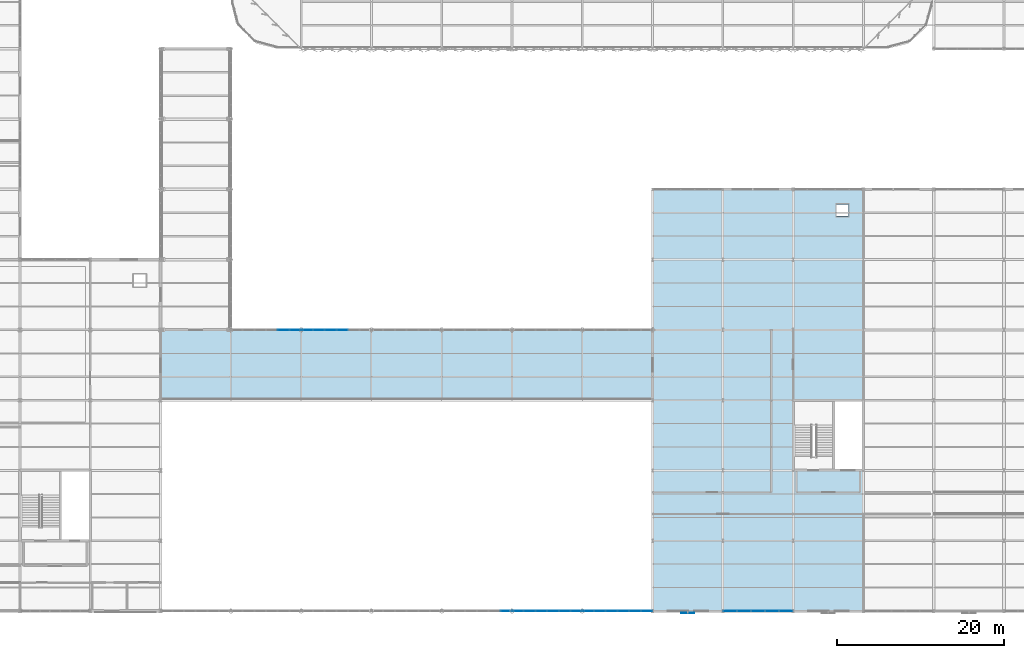
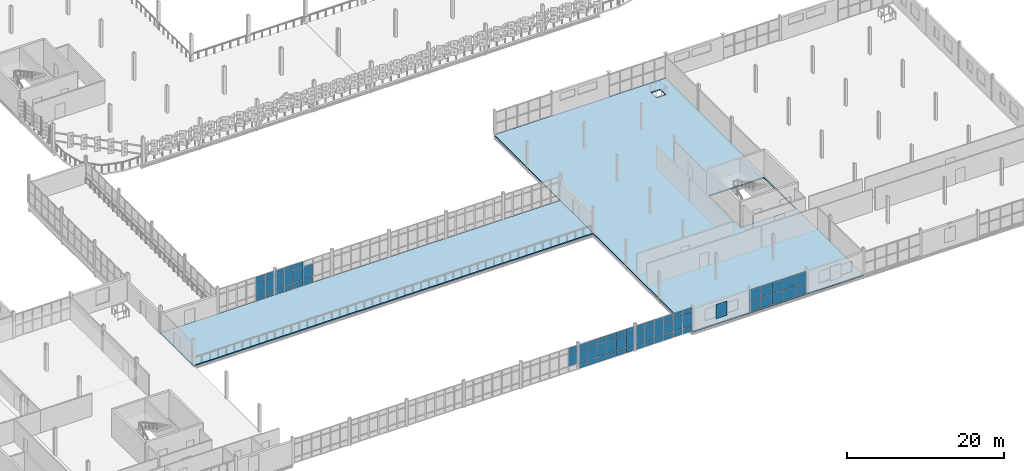
# One storey, part 116 of 163: 66 plates, 2 slabs, 6 elements without a shape of their own.
"""IFC4 building model written with IfcOpenShell, lengths in metres."""

from ifc_helpers import new_model, si_unit, direction, frame, origin, origin_2d, place, context, subcontext, project, spatial, polyline, rectangle, outline, extrude, material, layer, layer_set, type_object, element, aggregate, save


model = new_model("IFC4")

# Units and contexts
model_context = context("Model", 3, precision=1e-05, world=origin(), true_north=direction((0.0, 1.0)))
body_context = subcontext(model_context, "Body", "Model", "MODEL_VIEW")
ifc_project = project(units=[si_unit("LENGTHUNIT", "METRE"), si_unit("AREAUNIT", "SQUARE_METRE"), si_unit("VOLUMEUNIT", "CUBIC_METRE"), si_unit("PLANEANGLEUNIT", "RADIAN"), si_unit("MASSUNIT", "GRAM", prefix="KILO")], contexts=[model_context])

# Site, building, storey
site_placement = place(None, origin())
site = spatial("IfcSite", under=ifc_project, at=site_placement, CompositionType="ELEMENT")
building_placement = place(site_placement, origin())
building = spatial("IfcBuilding", under=site, at=building_placement, Name="Qalvenar Corner Mobility Hub", CompositionType="ELEMENT")
storey_placement = place(building_placement, frame((0.0, 0.0, 4.800048828125)))
storey = spatial("IfcBuildingStorey", under=building, at=storey_placement, Name="L01", CompositionType="ELEMENT", Elevation=4.800048828125)

# Curtain wall, plates
ifc_material_1 = material(Name="Anodised Aluminium and Low-E Glazing", Category="aluminium")
ifc_layer_1 = layer(ifc_material_1, 0.179931640625)
ifc_layer_set_1 = layer_set([ifc_layer_1], Name="Anodised Aluminium and Low-E Glazing")
curtain_wall_type_1 = type_object("IfcCurtainWallType", Name="CW-CONC-84X42", PredefinedType="NOTDEFINED", material=ifc_layer_set_1)
curtain_wall_1_placement = place(storey_placement, origin())
curtain_wall_1 = element("IfcCurtainWall", 1, at=curtain_wall_1_placement, inside=storey, type_object=curtain_wall_type_1, Name="Glazed Curtain Wall CW-V1-L01-N1", PredefinedType="NOTDEFINED")
ifc_material_2 = material(Name="Solar-Control Low-E Double Glazing", Category="glass")
ifc_layer_2 = layer(ifc_material_2, 0.028076171875)
ifc_layer_set_2 = layer_set([ifc_layer_2], Name="Solar-Control Low-E Double Glazing")
plate_type_1 = type_object("IfcPlateType", Name="PLT-CWP-GLZ1", PredefinedType="CURTAIN_PANEL", material=ifc_layer_set_2)
plate_1_placement = place(storey_placement, frame((66.485107421875, 33.60009765625, 0.054931640625), z_axis=(0.0, 0.0, 1.0), x_axis=(-1.0, 0.0, 0.0)))
plate_1 = element("IfcPlate", 2, at=plate_1_placement, type_object=plate_type_1, Name="CW-02 panel 1.1", PredefinedType="CURTAIN_PANEL", context=body_context, shape_type="SweptSolid", body=[
    extrude(rectangle(XDim=1.31005859375, YDim=0.028076171875, at=origin_2d()), origin(), (0.0, 0.0, 1.0), 0.8173828125),
])
plate_2_placement = place(storey_placement, frame((66.485107421875, 33.60009765625, 0.927490234375), z_axis=(0.0, 0.0, 1.0), x_axis=(-1.0, 0.0, 0.0)))
plate_2 = element("IfcPlate", 3, at=plate_2_placement, type_object=plate_type_1, Name="CW-02 panel 1.2", PredefinedType="CURTAIN_PANEL", context=body_context, shape_type="SweptSolid", body=[
    extrude(rectangle(XDim=1.31005859375, YDim=0.028076171875, at=origin_2d()), origin(), (0.0, 0.0, 1.0), 1.9951171875),
])
plate_3_placement = place(storey_placement, frame((66.485107421875, 33.60009765625, 2.977294921875), z_axis=(0.0, 0.0, 1.0), x_axis=(-1.0, 0.0, 0.0)))
plate_3 = element("IfcPlate", 4, at=plate_3_placement, type_object=plate_type_1, Name="CW-02 panel 1.3", PredefinedType="CURTAIN_PANEL", context=body_context, shape_type="SweptSolid", body=[
    extrude(rectangle(XDim=1.31005859375, YDim=0.028076171875, at=origin_2d()), origin(), (0.0, 0.0, 1.0), 0.767578125),
])
plate_4_placement = place(storey_placement, frame((65.10009765625, 33.60009765625, 0.054931640625), z_axis=(0.0, 0.0, 1.0), x_axis=(-1.0, 0.0, 0.0)))
plate_4 = element("IfcPlate", 5, at=plate_4_placement, type_object=plate_type_1, Name="CW-02 panel 2.1", PredefinedType="CURTAIN_PANEL", context=body_context, shape_type="SweptSolid", body=[
    extrude(rectangle(XDim=1.340087890625, YDim=0.028076171875, at=origin_2d()), origin(), (0.0, 0.0, 1.0), 0.8173828125),
])
plate_5_placement = place(storey_placement, frame((65.10009765625, 33.60009765625, 0.927490234375), z_axis=(0.0, 0.0, 1.0), x_axis=(-1.0, 0.0, 0.0)))
plate_5 = element("IfcPlate", 6, at=plate_5_placement, type_object=plate_type_1, Name="CW-02 panel 2.2", PredefinedType="CURTAIN_PANEL", context=body_context, shape_type="SweptSolid", body=[
    extrude(rectangle(XDim=1.340087890625, YDim=0.028076171875, at=origin_2d()), origin(), (0.0, 0.0, 1.0), 1.9951171875),
])
plate_6_placement = place(storey_placement, frame((65.10009765625, 33.60009765625, 2.977294921875), z_axis=(0.0, 0.0, 1.0), x_axis=(-1.0, 0.0, 0.0)))
plate_6 = element("IfcPlate", 7, at=plate_6_placement, type_object=plate_type_1, Name="CW-02 panel 2.3", PredefinedType="CURTAIN_PANEL", context=body_context, shape_type="SweptSolid", body=[
    extrude(rectangle(XDim=1.340087890625, YDim=0.028076171875, at=origin_2d()), origin(), (0.0, 0.0, 1.0), 0.767578125),
])
aggregate(curtain_wall_1, [plate_1, plate_2, plate_3, plate_4, plate_5, plate_6])

curtain_wall_2_placement = place(storey_placement, origin())
curtain_wall_2 = element("IfcCurtainWall", 8, at=curtain_wall_2_placement, inside=storey, type_object=curtain_wall_type_1, Name="Glazed Curtain Wall CW-V1-L01-N2", PredefinedType="NOTDEFINED")
plate_7_placement = place(storey_placement, frame((72.10009765625, 33.60009765625, 0.054931640625), z_axis=(0.0, 0.0, 1.0), x_axis=(-1.0, 0.0, 0.0)))
plate_7 = element("IfcPlate", 9, at=plate_7_placement, type_object=plate_type_1, Name="CW-02 panel 3.1", PredefinedType="CURTAIN_PANEL", context=body_context, shape_type="SweptSolid", body=[
    extrude(rectangle(XDim=1.340087890625, YDim=0.028076171875, at=origin_2d()), origin(), (0.0, 0.0, 1.0), 0.8173828125),
])
plate_8_placement = place(storey_placement, frame((72.10009765625, 33.60009765625, 0.927490234375), z_axis=(0.0, 0.0, 1.0), x_axis=(-1.0, 0.0, 0.0)))
plate_8 = element("IfcPlate", 10, at=plate_8_placement, type_object=plate_type_1, Name="CW-02 panel 3.2", PredefinedType="CURTAIN_PANEL", context=body_context, shape_type="SweptSolid", body=[
    extrude(rectangle(XDim=1.340087890625, YDim=0.028076171875, at=origin_2d()), origin(), (0.0, 0.0, 1.0), 1.9951171875),
])
plate_9_placement = place(storey_placement, frame((70.699951171875, 33.60009765625, 0.054931640625), z_axis=(0.0, 0.0, 1.0), x_axis=(-1.0, 0.0, 0.0)))
plate_9 = element("IfcPlate", 11, at=plate_9_placement, type_object=plate_type_1, Name="CW-02 panel 4.1", PredefinedType="CURTAIN_PANEL", context=body_context, shape_type="SweptSolid", body=[
    extrude(rectangle(XDim=1.340087890625, YDim=0.028076171875, at=origin_2d()), origin(), (0.0, 0.0, 1.0), 0.8173828125),
])
plate_10_placement = place(storey_placement, frame((70.699951171875, 33.60009765625, 0.927490234375), z_axis=(0.0, 0.0, 1.0), x_axis=(-1.0, 0.0, 0.0)))
plate_10 = element("IfcPlate", 12, at=plate_10_placement, type_object=plate_type_1, Name="CW-02 panel 4.2", PredefinedType="CURTAIN_PANEL", context=body_context, shape_type="SweptSolid", body=[
    extrude(rectangle(XDim=1.340087890625, YDim=0.028076171875, at=origin_2d()), origin(), (0.0, 0.0, 1.0), 1.9951171875),
])
plate_11_placement = place(storey_placement, frame((70.699951171875, 33.60009765625, 2.977294921875), z_axis=(0.0, 0.0, 1.0), x_axis=(-1.0, 0.0, 0.0)))
plate_11 = element("IfcPlate", 13, at=plate_11_placement, type_object=plate_type_1, Name="CW-02 panel 4.3", PredefinedType="CURTAIN_PANEL", context=body_context, shape_type="SweptSolid", body=[
    extrude(rectangle(XDim=1.340087890625, YDim=0.028076171875, at=origin_2d()), origin(), (0.0, 0.0, 1.0), 0.767578125),
])
plate_12_placement = place(storey_placement, frame((69.300048828125, 33.60009765625, 0.054931640625), z_axis=(0.0, 0.0, 1.0), x_axis=(-1.0, 0.0, 0.0)))
plate_12 = element("IfcPlate", 14, at=plate_12_placement, type_object=plate_type_1, Name="CW-02 panel 5.1", PredefinedType="CURTAIN_PANEL", context=body_context, shape_type="SweptSolid", body=[
    extrude(rectangle(XDim=1.340087890625, YDim=0.028076171875, at=origin_2d()), origin(), (0.0, 0.0, 1.0), 0.8173828125),
])
plate_13_placement = place(storey_placement, frame((69.300048828125, 33.60009765625, 0.927490234375), z_axis=(0.0, 0.0, 1.0), x_axis=(-1.0, 0.0, 0.0)))
plate_13 = element("IfcPlate", 15, at=plate_13_placement, type_object=plate_type_1, Name="CW-02 panel 5.2", PredefinedType="CURTAIN_PANEL", context=body_context, shape_type="SweptSolid", body=[
    extrude(rectangle(XDim=1.340087890625, YDim=0.028076171875, at=origin_2d()), origin(), (0.0, 0.0, 1.0), 1.9951171875),
])
plate_14_placement = place(storey_placement, frame((69.300048828125, 33.60009765625, 2.977294921875), z_axis=(0.0, 0.0, 1.0), x_axis=(-1.0, 0.0, 0.0)))
plate_14 = element("IfcPlate", 16, at=plate_14_placement, type_object=plate_type_1, Name="CW-02 panel 5.3", PredefinedType="CURTAIN_PANEL", context=body_context, shape_type="SweptSolid", body=[
    extrude(rectangle(XDim=1.340087890625, YDim=0.028076171875, at=origin_2d()), origin(), (0.0, 0.0, 1.0), 0.767578125),
])
plate_15_placement = place(storey_placement, frame((67.9150390625, 33.60009765625, 0.054931640625), z_axis=(0.0, 0.0, 1.0), x_axis=(-1.0, 0.0, 0.0)))
plate_15 = element("IfcPlate", 17, at=plate_15_placement, type_object=plate_type_1, Name="CW-02 panel 6.1", PredefinedType="CURTAIN_PANEL", context=body_context, shape_type="SweptSolid", body=[
    extrude(rectangle(XDim=1.31005859375, YDim=0.028076171875, at=origin_2d()), origin(), (0.0, 0.0, 1.0), 0.8173828125),
])
plate_16_placement = place(storey_placement, frame((67.9150390625, 33.60009765625, 0.927490234375), z_axis=(0.0, 0.0, 1.0), x_axis=(-1.0, 0.0, 0.0)))
plate_16 = element("IfcPlate", 18, at=plate_16_placement, type_object=plate_type_1, Name="CW-02 panel 6.2", PredefinedType="CURTAIN_PANEL", context=body_context, shape_type="SweptSolid", body=[
    extrude(rectangle(XDim=1.31005859375, YDim=0.028076171875, at=origin_2d()), origin(), (0.0, 0.0, 1.0), 1.9951171875),
])
plate_17_placement = place(storey_placement, frame((67.9150390625, 33.60009765625, 2.977294921875), z_axis=(0.0, 0.0, 1.0), x_axis=(-1.0, 0.0, 0.0)))
plate_17 = element("IfcPlate", 19, at=plate_17_placement, type_object=plate_type_1, Name="CW-02 panel 6.3", PredefinedType="CURTAIN_PANEL", context=body_context, shape_type="SweptSolid", body=[
    extrude(rectangle(XDim=1.31005859375, YDim=0.028076171875, at=origin_2d()), origin(), (0.0, 0.0, 1.0), 0.767578125),
])
aggregate(curtain_wall_2, [plate_7, plate_8, plate_9, plate_10, plate_11, plate_12, plate_13, plate_14, plate_15, plate_16, plate_17])

curtain_wall_3_placement = place(storey_placement, origin())
curtain_wall_3 = element("IfcCurtainWall", 20, at=curtain_wall_3_placement, inside=storey, type_object=curtain_wall_type_1, Name="Glazed Curtain Wall CW-V1-L01-S4", PredefinedType="NOTDEFINED")
plate_18_placement = place(storey_placement, frame((91.68505859375, 0.0, 0.927490234375), z_axis=(0.0, 0.0, 1.0), x_axis=(1.0, 0.0, 0.0)))
plate_18 = element("IfcPlate", 21, at=plate_18_placement, type_object=plate_type_1, Name="CW-02 panel 6.2", PredefinedType="CURTAIN_PANEL", context=body_context, shape_type="SweptSolid", body=[
    extrude(rectangle(XDim=1.31005859375, YDim=0.028076171875, at=origin_2d()), origin(), (0.0, 0.0, 1.0), 1.9951171875),
])
plate_19_placement = place(storey_placement, frame((91.68505859375, 0.0, 2.977294921875), z_axis=(0.0, 0.0, 1.0), x_axis=(1.0, 0.0, 0.0)))
plate_19 = element("IfcPlate", 22, at=plate_19_placement, type_object=plate_type_1, Name="CW-02 panel 6.3", PredefinedType="CURTAIN_PANEL", context=body_context, shape_type="SweptSolid", body=[
    extrude(rectangle(XDim=1.31005859375, YDim=0.028076171875, at=origin_2d()), origin(), (0.0, 0.0, 1.0), 0.767578125),
])
aggregate(curtain_wall_3, [plate_18, plate_19])

curtain_wall_4_placement = place(storey_placement, origin())
curtain_wall_4 = element("IfcCurtainWall", 23, at=curtain_wall_4_placement, inside=storey, type_object=curtain_wall_type_1, Name="Glazed Curtain Wall CW-V1-L01-S5", PredefinedType="NOTDEFINED")
plate_20_placement = place(storey_placement, frame((93.114990234375, 0.0, 0.054931640625), z_axis=(0.0, 0.0, 1.0), x_axis=(1.0, 0.0, 0.0)))
plate_20 = element("IfcPlate", 24, at=plate_20_placement, type_object=plate_type_1, Name="CW-02 panel 1.1", PredefinedType="CURTAIN_PANEL", context=body_context, shape_type="SweptSolid", body=[
    extrude(rectangle(XDim=1.31005859375, YDim=0.028076171875, at=origin_2d()), origin(), (0.0, 0.0, 1.0), 0.8173828125),
])
plate_21_placement = place(storey_placement, frame((93.114990234375, 0.0, 0.927490234375), z_axis=(0.0, 0.0, 1.0), x_axis=(1.0, 0.0, 0.0)))
plate_21 = element("IfcPlate", 25, at=plate_21_placement, type_object=plate_type_1, Name="CW-02 panel 1.2", PredefinedType="CURTAIN_PANEL", context=body_context, shape_type="SweptSolid", body=[
    extrude(rectangle(XDim=1.31005859375, YDim=0.028076171875, at=origin_2d()), origin(), (0.0, 0.0, 1.0), 1.9951171875),
])
plate_22_placement = place(storey_placement, frame((93.114990234375, 0.0, 2.977294921875), z_axis=(0.0, 0.0, 1.0), x_axis=(1.0, 0.0, 0.0)))
plate_22 = element("IfcPlate", 26, at=plate_22_placement, type_object=plate_type_1, Name="CW-02 panel 1.3", PredefinedType="CURTAIN_PANEL", context=body_context, shape_type="SweptSolid", body=[
    extrude(rectangle(XDim=1.31005859375, YDim=0.028076171875, at=origin_2d()), origin(), (0.0, 0.0, 1.0), 0.767578125),
])
plate_23_placement = place(storey_placement, frame((94.5, 0.0, 0.054931640625), z_axis=(0.0, 0.0, 1.0), x_axis=(1.0, 0.0, 0.0)))
plate_23 = element("IfcPlate", 27, at=plate_23_placement, type_object=plate_type_1, Name="CW-02 panel 2.1", PredefinedType="CURTAIN_PANEL", context=body_context, shape_type="SweptSolid", body=[
    extrude(rectangle(XDim=1.340087890625, YDim=0.028076171875, at=origin_2d()), origin(), (0.0, 0.0, 1.0), 0.8173828125),
])
plate_24_placement = place(storey_placement, frame((94.5, 0.0, 0.927490234375), z_axis=(0.0, 0.0, 1.0), x_axis=(1.0, 0.0, 0.0)))
plate_24 = element("IfcPlate", 28, at=plate_24_placement, type_object=plate_type_1, Name="CW-02 panel 2.2", PredefinedType="CURTAIN_PANEL", context=body_context, shape_type="SweptSolid", body=[
    extrude(rectangle(XDim=1.340087890625, YDim=0.028076171875, at=origin_2d()), origin(), (0.0, 0.0, 1.0), 1.9951171875),
])
plate_25_placement = place(storey_placement, frame((94.5, 0.0, 2.977294921875), z_axis=(0.0, 0.0, 1.0), x_axis=(1.0, 0.0, 0.0)))
plate_25 = element("IfcPlate", 29, at=plate_25_placement, type_object=plate_type_1, Name="CW-02 panel 2.3", PredefinedType="CURTAIN_PANEL", context=body_context, shape_type="SweptSolid", body=[
    extrude(rectangle(XDim=1.340087890625, YDim=0.028076171875, at=origin_2d()), origin(), (0.0, 0.0, 1.0), 0.767578125),
])
plate_26_placement = place(storey_placement, frame((95.89990234375, 0.0, 0.054931640625), z_axis=(0.0, 0.0, 1.0), x_axis=(1.0, 0.0, 0.0)))
plate_26 = element("IfcPlate", 30, at=plate_26_placement, type_object=plate_type_1, Name="CW-02 panel 3.1", PredefinedType="CURTAIN_PANEL", context=body_context, shape_type="SweptSolid", body=[
    extrude(rectangle(XDim=1.340087890625, YDim=0.028076171875, at=origin_2d()), origin(), (0.0, 0.0, 1.0), 0.8173828125),
])
plate_27_placement = place(storey_placement, frame((95.89990234375, 0.0, 0.927490234375), z_axis=(0.0, 0.0, 1.0), x_axis=(1.0, 0.0, 0.0)))
plate_27 = element("IfcPlate", 31, at=plate_27_placement, type_object=plate_type_1, Name="CW-02 panel 3.2", PredefinedType="CURTAIN_PANEL", context=body_context, shape_type="SweptSolid", body=[
    extrude(rectangle(XDim=1.340087890625, YDim=0.028076171875, at=origin_2d()), origin(), (0.0, 0.0, 1.0), 1.9951171875),
])
plate_28_placement = place(storey_placement, frame((95.89990234375, 0.0, 2.977294921875), z_axis=(0.0, 0.0, 1.0), x_axis=(1.0, 0.0, 0.0)))
plate_28 = element("IfcPlate", 32, at=plate_28_placement, type_object=plate_type_1, Name="CW-02 panel 3.3", PredefinedType="CURTAIN_PANEL", context=body_context, shape_type="SweptSolid", body=[
    extrude(rectangle(XDim=1.340087890625, YDim=0.028076171875, at=origin_2d()), origin(), (0.0, 0.0, 1.0), 0.767578125),
])
plate_29_placement = place(storey_placement, frame((97.300048828125, 0.0, 0.054931640625), z_axis=(0.0, 0.0, 1.0), x_axis=(1.0, 0.0, 0.0)))
plate_29 = element("IfcPlate", 33, at=plate_29_placement, type_object=plate_type_1, Name="CW-02 panel 4.1", PredefinedType="CURTAIN_PANEL", context=body_context, shape_type="SweptSolid", body=[
    extrude(rectangle(XDim=1.340087890625, YDim=0.028076171875, at=origin_2d()), origin(), (0.0, 0.0, 1.0), 0.8173828125),
])
plate_30_placement = place(storey_placement, frame((97.300048828125, 0.0, 0.927490234375), z_axis=(0.0, 0.0, 1.0), x_axis=(1.0, 0.0, 0.0)))
plate_30 = element("IfcPlate", 34, at=plate_30_placement, type_object=plate_type_1, Name="CW-02 panel 4.2", PredefinedType="CURTAIN_PANEL", context=body_context, shape_type="SweptSolid", body=[
    extrude(rectangle(XDim=1.340087890625, YDim=0.028076171875, at=origin_2d()), origin(), (0.0, 0.0, 1.0), 1.9951171875),
])
plate_31_placement = place(storey_placement, frame((97.300048828125, 0.0, 2.977294921875), z_axis=(0.0, 0.0, 1.0), x_axis=(1.0, 0.0, 0.0)))
plate_31 = element("IfcPlate", 35, at=plate_31_placement, type_object=plate_type_1, Name="CW-02 panel 4.3", PredefinedType="CURTAIN_PANEL", context=body_context, shape_type="SweptSolid", body=[
    extrude(rectangle(XDim=1.340087890625, YDim=0.028076171875, at=origin_2d()), origin(), (0.0, 0.0, 1.0), 0.767578125),
])
plate_32_placement = place(storey_placement, frame((98.699951171875, 0.0, 0.054931640625), z_axis=(0.0, 0.0, 1.0), x_axis=(1.0, 0.0, 0.0)))
plate_32 = element("IfcPlate", 36, at=plate_32_placement, type_object=plate_type_1, Name="CW-02 panel 5.1", PredefinedType="CURTAIN_PANEL", context=body_context, shape_type="SweptSolid", body=[
    extrude(rectangle(XDim=1.340087890625, YDim=0.028076171875, at=origin_2d()), origin(), (0.0, 0.0, 1.0), 0.8173828125),
])
plate_33_placement = place(storey_placement, frame((98.699951171875, 0.0, 0.927490234375), z_axis=(0.0, 0.0, 1.0), x_axis=(1.0, 0.0, 0.0)))
plate_33 = element("IfcPlate", 37, at=plate_33_placement, type_object=plate_type_1, Name="CW-02 panel 5.2", PredefinedType="CURTAIN_PANEL", context=body_context, shape_type="SweptSolid", body=[
    extrude(rectangle(XDim=1.340087890625, YDim=0.028076171875, at=origin_2d()), origin(), (0.0, 0.0, 1.0), 1.9951171875),
])
plate_34_placement = place(storey_placement, frame((98.699951171875, 0.0, 2.977294921875), z_axis=(0.0, 0.0, 1.0), x_axis=(1.0, 0.0, 0.0)))
plate_34 = element("IfcPlate", 38, at=plate_34_placement, type_object=plate_type_1, Name="CW-02 panel 5.3", PredefinedType="CURTAIN_PANEL", context=body_context, shape_type="SweptSolid", body=[
    extrude(rectangle(XDim=1.340087890625, YDim=0.028076171875, at=origin_2d()), origin(), (0.0, 0.0, 1.0), 0.767578125),
])
plate_35_placement = place(storey_placement, frame((100.0849609375, 0.0, 0.054931640625), z_axis=(0.0, 0.0, 1.0), x_axis=(1.0, 0.0, 0.0)))
plate_35 = element("IfcPlate", 39, at=plate_35_placement, type_object=plate_type_1, Name="CW-02 panel 6.1", PredefinedType="CURTAIN_PANEL", context=body_context, shape_type="SweptSolid", body=[
    extrude(rectangle(XDim=1.31005859375, YDim=0.028076171875, at=origin_2d()), origin(), (0.0, 0.0, 1.0), 0.8173828125),
])
plate_36_placement = place(storey_placement, frame((100.0849609375, 0.0, 0.927490234375), z_axis=(0.0, 0.0, 1.0), x_axis=(1.0, 0.0, 0.0)))
plate_36 = element("IfcPlate", 40, at=plate_36_placement, type_object=plate_type_1, Name="CW-02 panel 6.2", PredefinedType="CURTAIN_PANEL", context=body_context, shape_type="SweptSolid", body=[
    extrude(rectangle(XDim=1.31005859375, YDim=0.028076171875, at=origin_2d()), origin(), (0.0, 0.0, 1.0), 1.9951171875),
])
plate_37_placement = place(storey_placement, frame((100.0849609375, 0.0, 2.977294921875), z_axis=(0.0, 0.0, 1.0), x_axis=(1.0, 0.0, 0.0)))
plate_37 = element("IfcPlate", 41, at=plate_37_placement, type_object=plate_type_1, Name="CW-02 panel 6.3", PredefinedType="CURTAIN_PANEL", context=body_context, shape_type="SweptSolid", body=[
    extrude(rectangle(XDim=1.31005859375, YDim=0.028076171875, at=origin_2d()), origin(), (0.0, 0.0, 1.0), 0.767578125),
])
aggregate(curtain_wall_4, [plate_20, plate_21, plate_22, plate_23, plate_24, plate_25, plate_26, plate_27, plate_28, plate_29, plate_30, plate_31, plate_32, plate_33, plate_34, plate_35, plate_36, plate_37])

curtain_wall_5_placement = place(storey_placement, origin())
curtain_wall_5 = element("IfcCurtainWall", 42, at=curtain_wall_5_placement, inside=storey, type_object=curtain_wall_type_1, Name="Glazed Curtain Wall CW-V1-L01-S6", PredefinedType="NOTDEFINED")
plate_38_placement = place(storey_placement, frame((101.514892578125, 0.0, 0.054931640625), z_axis=(0.0, 0.0, 1.0), x_axis=(1.0, 0.0, 0.0)))
plate_38 = element("IfcPlate", 43, at=plate_38_placement, type_object=plate_type_1, Name="CW-02 panel 1.1", PredefinedType="CURTAIN_PANEL", context=body_context, shape_type="SweptSolid", body=[
    extrude(rectangle(XDim=1.31005859375, YDim=0.028076171875, at=origin_2d()), origin(), (0.0, 0.0, 1.0), 0.8173828125),
])
plate_39_placement = place(storey_placement, frame((101.514892578125, 0.0, 0.927490234375), z_axis=(0.0, 0.0, 1.0), x_axis=(1.0, 0.0, 0.0)))
plate_39 = element("IfcPlate", 44, at=plate_39_placement, type_object=plate_type_1, Name="CW-02 panel 1.2", PredefinedType="CURTAIN_PANEL", context=body_context, shape_type="SweptSolid", body=[
    extrude(rectangle(XDim=1.31005859375, YDim=0.028076171875, at=origin_2d()), origin(), (0.0, 0.0, 1.0), 1.9951171875),
])
plate_40_placement = place(storey_placement, frame((101.514892578125, 0.0, 2.977294921875), z_axis=(0.0, 0.0, 1.0), x_axis=(1.0, 0.0, 0.0)))
plate_40 = element("IfcPlate", 45, at=plate_40_placement, type_object=plate_type_1, Name="CW-02 panel 1.3", PredefinedType="CURTAIN_PANEL", context=body_context, shape_type="SweptSolid", body=[
    extrude(rectangle(XDim=1.31005859375, YDim=0.028076171875, at=origin_2d()), origin(), (0.0, 0.0, 1.0), 0.767578125),
])
plate_41_placement = place(storey_placement, frame((102.89990234375, 0.0, 0.054931640625), z_axis=(0.0, 0.0, 1.0), x_axis=(1.0, 0.0, 0.0)))
plate_41 = element("IfcPlate", 46, at=plate_41_placement, type_object=plate_type_1, Name="CW-02 panel 2.1", PredefinedType="CURTAIN_PANEL", context=body_context, shape_type="SweptSolid", body=[
    extrude(rectangle(XDim=1.340087890625, YDim=0.028076171875, at=origin_2d()), origin(), (0.0, 0.0, 1.0), 0.8173828125),
])
plate_42_placement = place(storey_placement, frame((102.89990234375, 0.0, 0.927490234375), z_axis=(0.0, 0.0, 1.0), x_axis=(1.0, 0.0, 0.0)))
plate_42 = element("IfcPlate", 47, at=plate_42_placement, type_object=plate_type_1, Name="CW-02 panel 2.2", PredefinedType="CURTAIN_PANEL", context=body_context, shape_type="SweptSolid", body=[
    extrude(rectangle(XDim=1.340087890625, YDim=0.028076171875, at=origin_2d()), origin(), (0.0, 0.0, 1.0), 1.9951171875),
])
plate_43_placement = place(storey_placement, frame((102.89990234375, 0.0, 2.977294921875), z_axis=(0.0, 0.0, 1.0), x_axis=(1.0, 0.0, 0.0)))
plate_43 = element("IfcPlate", 48, at=plate_43_placement, type_object=plate_type_1, Name="CW-02 panel 2.3", PredefinedType="CURTAIN_PANEL", context=body_context, shape_type="SweptSolid", body=[
    extrude(rectangle(XDim=1.340087890625, YDim=0.028076171875, at=origin_2d()), origin(), (0.0, 0.0, 1.0), 0.767578125),
])
plate_44_placement = place(storey_placement, frame((104.300048828125, 0.0, 0.054931640625), z_axis=(0.0, 0.0, 1.0), x_axis=(1.0, 0.0, 0.0)))
plate_44 = element("IfcPlate", 49, at=plate_44_placement, type_object=plate_type_1, Name="CW-02 panel 3.1", PredefinedType="CURTAIN_PANEL", context=body_context, shape_type="SweptSolid", body=[
    extrude(rectangle(XDim=1.340087890625, YDim=0.028076171875, at=origin_2d()), origin(), (0.0, 0.0, 1.0), 0.8173828125),
])
plate_45_placement = place(storey_placement, frame((104.300048828125, 0.0, 0.927490234375), z_axis=(0.0, 0.0, 1.0), x_axis=(1.0, 0.0, 0.0)))
plate_45 = element("IfcPlate", 50, at=plate_45_placement, type_object=plate_type_1, Name="CW-02 panel 3.2", PredefinedType="CURTAIN_PANEL", context=body_context, shape_type="SweptSolid", body=[
    extrude(rectangle(XDim=1.340087890625, YDim=0.028076171875, at=origin_2d()), origin(), (0.0, 0.0, 1.0), 1.9951171875),
])
plate_46_placement = place(storey_placement, frame((104.300048828125, 0.0, 2.977294921875), z_axis=(0.0, 0.0, 1.0), x_axis=(1.0, 0.0, 0.0)))
plate_46 = element("IfcPlate", 51, at=plate_46_placement, type_object=plate_type_1, Name="CW-02 panel 3.3", PredefinedType="CURTAIN_PANEL", context=body_context, shape_type="SweptSolid", body=[
    extrude(rectangle(XDim=1.340087890625, YDim=0.028076171875, at=origin_2d()), origin(), (0.0, 0.0, 1.0), 0.767578125),
])
plate_47_placement = place(storey_placement, frame((105.699951171875, 0.0, 0.054931640625), z_axis=(0.0, 0.0, 1.0), x_axis=(1.0, 0.0, 0.0)))
plate_47 = element("IfcPlate", 52, at=plate_47_placement, type_object=plate_type_1, Name="CW-02 panel 4.1", PredefinedType="CURTAIN_PANEL", context=body_context, shape_type="SweptSolid", body=[
    extrude(rectangle(XDim=1.340087890625, YDim=0.028076171875, at=origin_2d()), origin(), (0.0, 0.0, 1.0), 0.8173828125),
])
plate_48_placement = place(storey_placement, frame((105.699951171875, 0.0, 0.927490234375), z_axis=(0.0, 0.0, 1.0), x_axis=(1.0, 0.0, 0.0)))
plate_48 = element("IfcPlate", 53, at=plate_48_placement, type_object=plate_type_1, Name="CW-02 panel 4.2", PredefinedType="CURTAIN_PANEL", context=body_context, shape_type="SweptSolid", body=[
    extrude(rectangle(XDim=1.340087890625, YDim=0.028076171875, at=origin_2d()), origin(), (0.0, 0.0, 1.0), 1.9951171875),
])
plate_49_placement = place(storey_placement, frame((105.699951171875, 0.0, 2.977294921875), z_axis=(0.0, 0.0, 1.0), x_axis=(1.0, 0.0, 0.0)))
plate_49 = element("IfcPlate", 54, at=plate_49_placement, type_object=plate_type_1, Name="CW-02 panel 4.3", PredefinedType="CURTAIN_PANEL", context=body_context, shape_type="SweptSolid", body=[
    extrude(rectangle(XDim=1.340087890625, YDim=0.028076171875, at=origin_2d()), origin(), (0.0, 0.0, 1.0), 0.767578125),
])
plate_50_placement = place(storey_placement, frame((107.10009765625, 0.0, 0.054931640625), z_axis=(0.0, 0.0, 1.0), x_axis=(1.0, 0.0, 0.0)))
plate_50 = element("IfcPlate", 55, at=plate_50_placement, type_object=plate_type_1, Name="CW-02 panel 5.1", PredefinedType="CURTAIN_PANEL", context=body_context, shape_type="SweptSolid", body=[
    extrude(rectangle(XDim=1.340087890625, YDim=0.028076171875, at=origin_2d()), origin(), (0.0, 0.0, 1.0), 0.8173828125),
])
plate_51_placement = place(storey_placement, frame((107.10009765625, 0.0, 0.927490234375), z_axis=(0.0, 0.0, 1.0), x_axis=(1.0, 0.0, 0.0)))
plate_51 = element("IfcPlate", 56, at=plate_51_placement, type_object=plate_type_1, Name="CW-02 panel 5.2", PredefinedType="CURTAIN_PANEL", context=body_context, shape_type="SweptSolid", body=[
    extrude(rectangle(XDim=1.340087890625, YDim=0.028076171875, at=origin_2d()), origin(), (0.0, 0.0, 1.0), 1.9951171875),
])
plate_52_placement = place(storey_placement, frame((107.10009765625, 0.0, 2.977294921875), z_axis=(0.0, 0.0, 1.0), x_axis=(1.0, 0.0, 0.0)))
plate_52 = element("IfcPlate", 57, at=plate_52_placement, type_object=plate_type_1, Name="CW-02 panel 5.3", PredefinedType="CURTAIN_PANEL", context=body_context, shape_type="SweptSolid", body=[
    extrude(rectangle(XDim=1.340087890625, YDim=0.028076171875, at=origin_2d()), origin(), (0.0, 0.0, 1.0), 0.767578125),
])
plate_53_placement = place(storey_placement, frame((108.485107421875, 0.0, 0.054931640625), z_axis=(0.0, 0.0, 1.0), x_axis=(1.0, 0.0, 0.0)))
plate_53 = element("IfcPlate", 58, at=plate_53_placement, type_object=plate_type_1, Name="CW-02 panel 6.1", PredefinedType="CURTAIN_PANEL", context=body_context, shape_type="SweptSolid", body=[
    extrude(rectangle(XDim=1.31005859375, YDim=0.028076171875, at=origin_2d()), origin(), (0.0, 0.0, 1.0), 0.8173828125),
])
plate_54_placement = place(storey_placement, frame((108.485107421875, 0.0, 0.927490234375), z_axis=(0.0, 0.0, 1.0), x_axis=(1.0, 0.0, 0.0)))
plate_54 = element("IfcPlate", 59, at=plate_54_placement, type_object=plate_type_1, Name="CW-02 panel 6.2", PredefinedType="CURTAIN_PANEL", context=body_context, shape_type="SweptSolid", body=[
    extrude(rectangle(XDim=1.31005859375, YDim=0.028076171875, at=origin_2d()), origin(), (0.0, 0.0, 1.0), 1.9951171875),
])
plate_55_placement = place(storey_placement, frame((108.485107421875, 0.0, 2.977294921875), z_axis=(0.0, 0.0, 1.0), x_axis=(1.0, 0.0, 0.0)))
plate_55 = element("IfcPlate", 60, at=plate_55_placement, type_object=plate_type_1, Name="CW-02 panel 6.3", PredefinedType="CURTAIN_PANEL", context=body_context, shape_type="SweptSolid", body=[
    extrude(rectangle(XDim=1.31005859375, YDim=0.028076171875, at=origin_2d()), origin(), (0.0, 0.0, 1.0), 0.767578125),
])
aggregate(curtain_wall_5, [plate_38, plate_39, plate_40, plate_41, plate_42, plate_43, plate_44, plate_45, plate_46, plate_47, plate_48, plate_49, plate_50, plate_51, plate_52, plate_53, plate_54, plate_55])

ifc_layer_3 = layer(ifc_material_1, 0.14990234375)
ifc_layer_set_3 = layer_set([ifc_layer_3], Name="Anodised Aluminium and Low-E Glazing")
curtain_wall_type_2 = type_object("IfcCurtainWallType", Name="CW-WKS-84X44", PredefinedType="NOTDEFINED", material=ifc_layer_set_3)
curtain_wall_6_placement = place(storey_placement, origin())
curtain_wall_6 = element("IfcCurtainWall", 61, at=curtain_wall_6_placement, inside=storey, type_object=curtain_wall_type_2, Name="Glazed Curtain Wall CW-V6-L01-S1", PredefinedType="NOTDEFINED")
plate_56_placement = place(storey_placement, frame((118.455078125, 0.0, 0.054931640625), z_axis=(0.0, 0.0, 1.0), x_axis=(1.0, 0.0, 0.0)))
plate_56 = element("IfcPlate", 62, at=plate_56_placement, type_object=plate_type_1, Name="CW-09 panel 1.1", PredefinedType="CURTAIN_PANEL", context=body_context, shape_type="SweptSolid", body=[
    extrude(rectangle(XDim=1.590087890625, YDim=0.028076171875, at=origin_2d()), origin(), (0.0, 0.0, 1.0), 1.6826171875),
])
plate_57_placement = place(storey_placement, frame((118.455078125, 0.0, 1.79248046875), z_axis=(0.0, 0.0, 1.0), x_axis=(1.0, 0.0, 0.0)))
plate_57 = element("IfcPlate", 63, at=plate_57_placement, type_object=plate_type_1, Name="CW-09 panel 1.2", PredefinedType="CURTAIN_PANEL", context=body_context, shape_type="SweptSolid", body=[
    extrude(rectangle(XDim=1.590087890625, YDim=0.028076171875, at=origin_2d()), origin(), (0.0, 0.0, 1.0), 1.6826171875),
])
plate_58_placement = place(storey_placement, frame((120.1201171875, 0.0, 0.054931640625), z_axis=(0.0, 0.0, 1.0), x_axis=(1.0, 0.0, 0.0)))
plate_58 = element("IfcPlate", 64, at=plate_58_placement, type_object=plate_type_1, Name="CW-09 panel 2.1", PredefinedType="CURTAIN_PANEL", context=body_context, shape_type="SweptSolid", body=[
    extrude(rectangle(XDim=1.6201171875, YDim=0.028076171875, at=origin_2d()), origin(), (0.0, 0.0, 1.0), 1.6826171875),
])
plate_59_placement = place(storey_placement, frame((120.1201171875, 0.0, 1.79248046875), z_axis=(0.0, 0.0, 1.0), x_axis=(1.0, 0.0, 0.0)))
plate_59 = element("IfcPlate", 65, at=plate_59_placement, type_object=plate_type_1, Name="CW-09 panel 2.2", PredefinedType="CURTAIN_PANEL", context=body_context, shape_type="SweptSolid", body=[
    extrude(rectangle(XDim=1.6201171875, YDim=0.028076171875, at=origin_2d()), origin(), (0.0, 0.0, 1.0), 1.6826171875),
])
plate_60_placement = place(storey_placement, frame((121.800048828125, 0.0, 0.054931640625), z_axis=(0.0, 0.0, 1.0), x_axis=(1.0, 0.0, 0.0)))
plate_60 = element("IfcPlate", 66, at=plate_60_placement, type_object=plate_type_1, Name="CW-09 panel 3.1", PredefinedType="CURTAIN_PANEL", context=body_context, shape_type="SweptSolid", body=[
    extrude(rectangle(XDim=1.6201171875, YDim=0.028076171875, at=origin_2d()), origin(), (0.0, 0.0, 1.0), 1.6826171875),
])
plate_61_placement = place(storey_placement, frame((121.800048828125, 0.0, 1.79248046875), z_axis=(0.0, 0.0, 1.0), x_axis=(1.0, 0.0, 0.0)))
plate_61 = element("IfcPlate", 67, at=plate_61_placement, type_object=plate_type_1, Name="CW-09 panel 3.2", PredefinedType="CURTAIN_PANEL", context=body_context, shape_type="SweptSolid", body=[
    extrude(rectangle(XDim=1.6201171875, YDim=0.028076171875, at=origin_2d()), origin(), (0.0, 0.0, 1.0), 1.6826171875),
])
plate_62_placement = place(storey_placement, frame((123.47998046875, 0.0, 0.054931640625), z_axis=(0.0, 0.0, 1.0), x_axis=(1.0, 0.0, 0.0)))
plate_62 = element("IfcPlate", 68, at=plate_62_placement, type_object=plate_type_1, Name="CW-09 panel 4.1", PredefinedType="CURTAIN_PANEL", context=body_context, shape_type="SweptSolid", body=[
    extrude(rectangle(XDim=1.6201171875, YDim=0.028076171875, at=origin_2d()), origin(), (0.0, 0.0, 1.0), 1.6826171875),
])
plate_63_placement = place(storey_placement, frame((123.47998046875, 0.0, 1.79248046875), z_axis=(0.0, 0.0, 1.0), x_axis=(1.0, 0.0, 0.0)))
plate_63 = element("IfcPlate", 69, at=plate_63_placement, type_object=plate_type_1, Name="CW-09 panel 4.2", PredefinedType="CURTAIN_PANEL", context=body_context, shape_type="SweptSolid", body=[
    extrude(rectangle(XDim=1.6201171875, YDim=0.028076171875, at=origin_2d()), origin(), (0.0, 0.0, 1.0), 1.6826171875),
])
plate_64_placement = place(storey_placement, frame((125.14501953125, 0.0, 0.054931640625), z_axis=(0.0, 0.0, 1.0), x_axis=(1.0, 0.0, 0.0)))
plate_64 = element("IfcPlate", 70, at=plate_64_placement, type_object=plate_type_1, Name="CW-09 panel 5.1", PredefinedType="CURTAIN_PANEL", context=body_context, shape_type="SweptSolid", body=[
    extrude(rectangle(XDim=1.590087890625, YDim=0.028076171875, at=origin_2d()), origin(), (0.0, 0.0, 1.0), 1.6826171875),
])
plate_65_placement = place(storey_placement, frame((125.14501953125, 0.0, 1.79248046875), z_axis=(0.0, 0.0, 1.0), x_axis=(1.0, 0.0, 0.0)))
plate_65 = element("IfcPlate", 71, at=plate_65_placement, type_object=plate_type_1, Name="CW-09 panel 5.2", PredefinedType="CURTAIN_PANEL", context=body_context, shape_type="SweptSolid", body=[
    extrude(rectangle(XDim=1.590087890625, YDim=0.028076171875, at=origin_2d()), origin(), (0.0, 0.0, 1.0), 1.6826171875),
])
aggregate(curtain_wall_6, [plate_56, plate_57, plate_58, plate_59, plate_60, plate_61, plate_62, plate_63, plate_64, plate_65])

# Plate
ifc_material_3 = material(Name="Perforated Ochre Sun-Louvre Aluminium", Category="aluminium")
ifc_layer_4 = layer(ifc_material_3, 0.031982421875)
ifc_layer_set_4 = layer_set([ifc_layer_4], Name="Perforated Ochre Sun-Louvre Aluminium")
plate_type_2 = type_object("IfcPlateType", Name="PLT-SCR-WKS", PredefinedType="SHEET", material=ifc_layer_set_4)
plate_66_placement = place(storey_placement, frame((113.39990234375, -0.219970703125, 0.89990234375), z_axis=(0.0, 0.0, 1.0), x_axis=(1.0, 0.0, 0.0)))
element("IfcPlate", 72, at=plate_66_placement, inside=storey, type_object=plate_type_2, Name="Workshop Sun Louvre SC3-L01-0", PredefinedType="SHEET", context=body_context, shape_type="SweptSolid", body=[
    extrude(rectangle(XDim=1.60009765625, YDim=0.031982421875, at=origin_2d()), origin(), (0.0, 0.0, 1.0), 2.199951171875),
])

# Slabs
ifc_material_4 = material(Name="Concrete C35/45", Category="concrete")
ifc_layer_5 = layer(ifc_material_4, 0.179931640625)
ifc_layer_set_5 = layer_set([ifc_layer_5], Name="Concrete C35/45")
slab_type = type_object("IfcSlabType", Name="SLB-COMP180", PredefinedType="FLOOR", material=ifc_layer_set_5)
slab_1_placement = place(storey_placement, frame((0.0, 0.0, -0.179931640625)))
element("IfcSlab", 73, at=slab_1_placement, inside=storey, type_object=slab_type, Name="Composite Slab V1-A-L01", PredefinedType="FLOOR", context=body_context, shape_type="SweptSolid", body=[
    extrude(outline(polyline([(50.39990234375, 25.199951171875), (109.199951171875, 25.199951171875), (109.199951171875, 33.60009765625), (50.39990234375, 33.60009765625), (50.39990234375, 25.199951171875)])), origin(), (0.0, 0.0, 1.0), 0.179931640625),
])
slab_2_placement = place(storey_placement, frame((0.0, 0.0, -0.179931640625)))
element("IfcSlab", 74, at=slab_2_placement, inside=storey, type_object=slab_type, Name="Composite Slab V6-A-L01", PredefinedType="FLOOR", context=body_context, shape_type="SweptSolid", body=[
    extrude(outline(polyline([(109.199951171875, 0.0), (134.39990234375, 0.0), (134.39990234375, 50.39990234375), (109.199951171875, 50.39990234375), (109.199951171875, 0.0)]), holes=[polyline([(126.1298828125, 16.929931640625), (134.27001953125, 16.929931640625), (134.27001953125, 25.070068359375), (126.1298828125, 25.070068359375), (126.1298828125, 16.929931640625)]), polyline([(131.199951171875, 47.199951171875), (132.60009765625, 47.199951171875), (132.60009765625, 48.60009765625), (131.199951171875, 48.60009765625), (131.199951171875, 47.199951171875)])]), origin(), (0.0, 0.0, 1.0), 0.179931640625),
])

save(model, "model.ifc")
